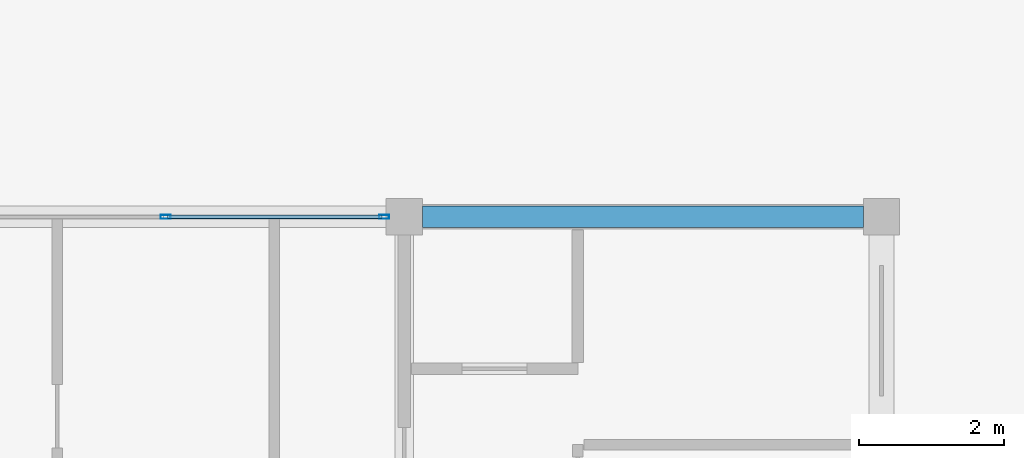
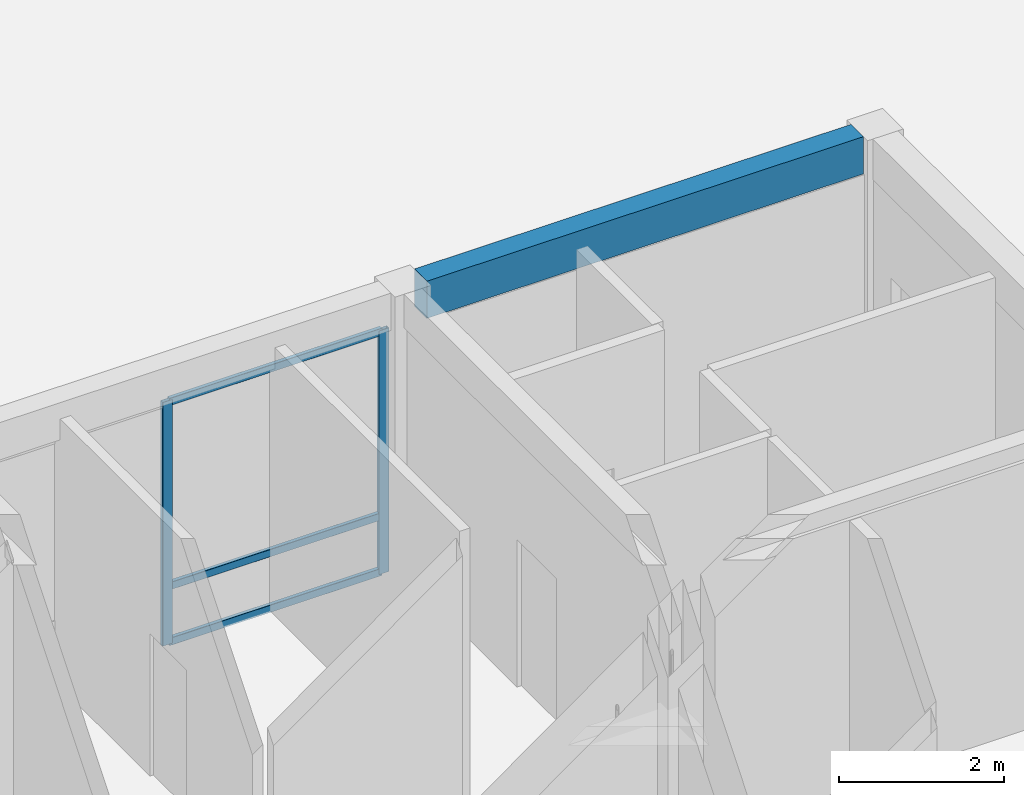
# One storey, part 45 of 92: 5 members, 1 beam, 1 element without a shape of its own.
"""IFC4 building model written with IfcOpenShell, lengths in metres."""

from ifc_helpers import new_model, si_unit, direction, frame, origin, origin_2d, place, context, subcontext, project, spatial, rectangle, hollow_rectangle, extrude, material, material_profile, profile_set, type_object, element, aggregate, save


model = new_model("IFC4")

# Units and contexts
model_context = context("Model", 3, precision=1e-05, world=origin(), true_north=direction((0.0, 1.0)))
body_context = subcontext(model_context, "Body", "Model", "MODEL_VIEW")
ifc_project = project(units=[si_unit("LENGTHUNIT", "METRE"), si_unit("AREAUNIT", "SQUARE_METRE"), si_unit("VOLUMEUNIT", "CUBIC_METRE"), si_unit("PLANEANGLEUNIT", "RADIAN"), si_unit("MASSUNIT", "GRAM", prefix="KILO")], contexts=[model_context])

# Site, building, storey
site_placement = place(None, origin())
site = spatial("IfcSite", under=ifc_project, at=site_placement, CompositionType="ELEMENT")
building_placement = place(site_placement, origin())
building = spatial("IfcBuilding", under=site, at=building_placement, Name="Kernevlak Ridge Housing Community", CompositionType="ELEMENT")
storey_placement = place(building_placement, frame((0.0, 0.0, 4.199951171875)))
storey = spatial("IfcBuildingStorey", under=building, at=storey_placement, Name="L01", CompositionType="ELEMENT", Elevation=4.199951171875)

# Curtain wall, members
ifc_material_1 = material(Name="Aluminium EN AW-6060 anodised and laminated glass", Category="aluminium")
curtain_wall_type = type_object("IfcCurtainWallType", Name="CW-01", PredefinedType="NOTDEFINED", material=ifc_material_1)
curtain_wall_placement = place(storey_placement, origin())
curtain_wall = element("IfcCurtainWall", 1, at=curtain_wall_placement, inside=storey, type_object=curtain_wall_type, Name="Curtain wall CW-01 CW-L01-105", PredefinedType="NOTDEFINED")
ifc_material_2 = material(Name="Aluminium EN AW-6060 anodised", Category="aluminium")
ifc_material_profile_1 = material_profile(ifc_material_2, hollow_rectangle(XDim=0.054931640625, YDim=0.139892578125, WallThickness=0.00390625, InnerFilletRadius=0.001953125, OuterFilletRadius=0.00390625, at=origin_2d()), Name="ALU 55x140x4")
ifc_profile_set_1 = profile_set([ifc_material_profile_1], Name="Aluminium EN AW-6060 anodised")
member_type_1 = type_object("IfcMemberType", Name="MU-01", PredefinedType="MULLION", material=ifc_profile_set_1)
member_1_placement = place(storey_placement, frame((135.89990234375, 42.0, 0.0), z_axis=(0.0, 0.0, 1.0), x_axis=(0.0, 1.0, 0.0)))
member_1 = element("IfcMember", 2, at=member_1_placement, type_object=member_type_1, Name="CW-01 mullion 2", PredefinedType="MULLION", context=body_context, shape_type="SweptSolid", body=[
    extrude(hollow_rectangle(XDim=0.054931640625, YDim=0.139892578125, WallThickness=0.00390625, InnerFilletRadius=0.001953125, OuterFilletRadius=0.00390625, at=origin_2d()), origin(), (0.0, 0.0, 1.0), 3.60009765625),
])
member_2_placement = place(storey_placement, frame((138.922607421875, 42.0, 0.0), z_axis=(0.0, 0.0, 1.0), x_axis=(0.0, 1.0, 0.0)))
member_2 = element("IfcMember", 3, at=member_2_placement, type_object=member_type_1, Name="CW-01 mullion 3", PredefinedType="MULLION", context=body_context, shape_type="SweptSolid", body=[
    extrude(hollow_rectangle(XDim=0.054931640625, YDim=0.139892578125, WallThickness=0.00390625, InnerFilletRadius=0.001953125, OuterFilletRadius=0.00390625, at=origin_2d()), origin(), (0.0, 0.0, 1.0), 3.60009765625),
])

# Beam
ifc_material_3 = material(Name="Concrete C35/45", Category="concrete")
ifc_material_profile_2 = material_profile(ifc_material_3, rectangle(XDim=0.300048828125, YDim=0.550048828125, at=origin_2d()), Name="RC 300x550")
ifc_profile_set_2 = profile_set([ifc_material_profile_2], Name="Concrete C35/45")
beam_type = type_object("IfcBeamType", Name="SP-01", PredefinedType="SPANDREL", material=ifc_profile_set_2)
beam_placement = place(storey_placement, frame((139.449951171875, 42.0, 3.925048828125), z_axis=(1.0, 0.0, 0.0), x_axis=(0.0, 1.0, 0.0)))
element("IfcBeam", 4, at=beam_placement, inside=storey, type_object=beam_type, Name="Beam SP-01 L01 1045", PredefinedType="SPANDREL", context=body_context, shape_type="SweptSolid", body=[
    extrude(rectangle(XDim=0.300048828125, YDim=0.550048828125, at=origin_2d()), origin(), (0.0, 0.0, 1.0), 6.10009765625),
])

# Member
ifc_material_profile_3 = material_profile(ifc_material_2, hollow_rectangle(XDim=0.054931640625, YDim=0.110107421875, WallThickness=0.00390625, InnerFilletRadius=0.001953125, OuterFilletRadius=0.00390625, at=origin_2d()), Name="ALU 55x110x4")
ifc_profile_set_3 = profile_set([ifc_material_profile_3], Name="Aluminium EN AW-6060 anodised")
member_type_2 = type_object("IfcMemberType", Name="TM-01", PredefinedType="USERDEFINED", material=ifc_profile_set_3)
member_3_placement = place(storey_placement, frame((135.927490234375, 42.0, 0.027587890625), z_axis=(1.0, 0.0, 0.0), x_axis=(0.0, 1.0, 0.0)))
member_3 = element("IfcMember", 5, at=member_3_placement, type_object=member_type_2, Name="CW-01 transom 2.1", ObjectType="TRANSOM", PredefinedType="USERDEFINED", context=body_context, shape_type="SweptSolid", body=[
    extrude(hollow_rectangle(XDim=0.054931640625, YDim=0.110107421875, WallThickness=0.00390625, InnerFilletRadius=0.001953125, OuterFilletRadius=0.00390625, at=origin_2d()), origin(), (0.0, 0.0, 1.0), 2.967529296875),
])

member_4_placement = place(storey_placement, frame((135.927490234375, 42.0, 0.85009765625), z_axis=(1.0, 0.0, 0.0), x_axis=(0.0, 1.0, 0.0)))
member_4 = element("IfcMember", 6, at=member_4_placement, type_object=member_type_2, Name="CW-01 transom 2.2", ObjectType="TRANSOM", PredefinedType="USERDEFINED", context=body_context, shape_type="SweptSolid", body=[
    extrude(hollow_rectangle(XDim=0.054931640625, YDim=0.110107421875, WallThickness=0.00390625, InnerFilletRadius=0.001953125, OuterFilletRadius=0.00390625, at=origin_2d()), origin(), (0.0, 0.0, 1.0), 2.967529296875),
])

member_5_placement = place(storey_placement, frame((135.927490234375, 42.0, 3.572509765625), z_axis=(1.0, 0.0, 0.0), x_axis=(0.0, 1.0, 0.0)))
member_5 = element("IfcMember", 7, at=member_5_placement, type_object=member_type_2, Name="CW-01 transom 2.3", ObjectType="TRANSOM", PredefinedType="USERDEFINED", context=body_context, shape_type="SweptSolid", body=[
    extrude(hollow_rectangle(XDim=0.054931640625, YDim=0.110107421875, WallThickness=0.00390625, InnerFilletRadius=0.001953125, OuterFilletRadius=0.00390625, at=origin_2d()), origin(), (0.0, 0.0, 1.0), 2.967529296875),
])

aggregate(curtain_wall, [member_1, member_2, member_3, member_4, member_5])

save(model, "model.ifc")
